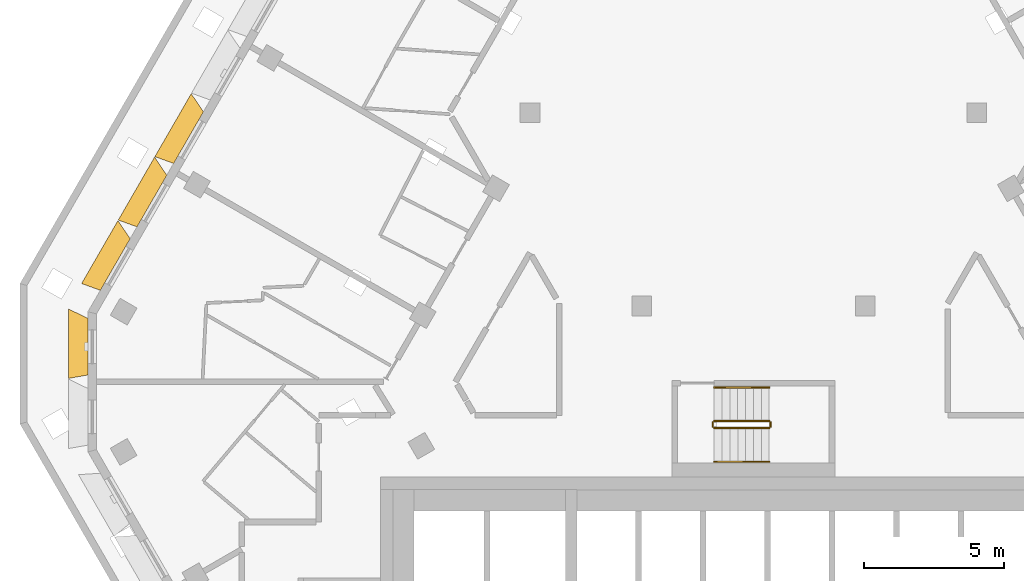
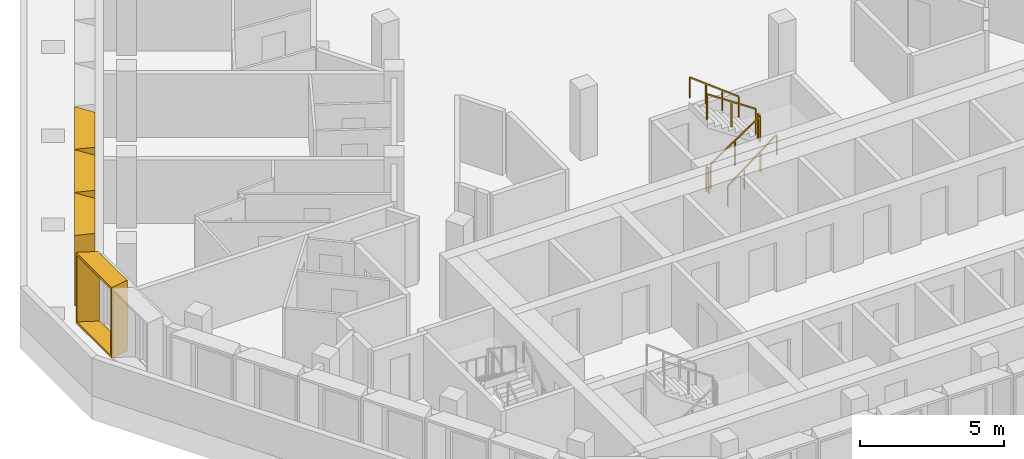
# One storey, part 13 of 15: 6 railings, 4 shading devices.
"""IFC4 building model written with IfcOpenShell, lengths in metres."""

from ifc_helpers import new_model, entity, si_unit, direction, frame, origin, origin_2d, place, context, subcontext, project, spatial, rectangle, extrude, source, transform, mapped, material, type_object, type_shapes, element, save


model = new_model("IFC4")

# Units and contexts
model_context = context("Model", 3, precision=1e-05, world=origin(), true_north=direction((0.0, 1.0)))
body_context = subcontext(model_context, "Body", "Model", "MODEL_VIEW")
ifc_project = project(units=[si_unit("LENGTHUNIT", "METRE"), si_unit("AREAUNIT", "SQUARE_METRE"), si_unit("VOLUMEUNIT", "CUBIC_METRE"), si_unit("PLANEANGLEUNIT", "RADIAN"), si_unit("MASSUNIT", "GRAM", prefix="KILO")], contexts=[model_context])

# Site, building, storey
site_placement = place(None, origin())
site = spatial("IfcSite", under=ifc_project, at=site_placement, CompositionType="ELEMENT")
building_placement = place(site_placement, origin())
building = spatial("IfcBuilding", under=site, at=building_placement, Name="Beryl Residences", CompositionType="ELEMENT")
storey_placement = place(building_placement, frame((0.0, 0.0, 202.800048828125)))
storey = spatial("IfcBuildingStorey", under=building, at=storey_placement, Name="L62", CompositionType="ELEMENT", Elevation=202.800048828125)

# Shading devices
ifc_material_1 = material(Name="Aluminium pale anodised", Category="aluminium")
shading_device_type_1 = type_object("IfcShadingDeviceType", Name="FR250-70B OUTER SKIN frame 700 mm deep, splay 26/10 deg, 2500 x 3000 mm cell", PredefinedType="USERDEFINED", material=ifc_material_1)
cartesian_point_1 = entity("IfcCartesianPoint", [-1.007568359375, 0.0])
cartesian_point_2 = entity("IfcCartesianPoint", [-0.91845703125, 0.10009765625])
cartesian_point_3 = entity("IfcCartesianPoint", [-1.348876953125, 0.0])
cartesian_point_4 = entity("IfcCartesianPoint", [-1.260009765625, 0.10009765625])
shared_shape_1 = source(origin(), body_context, "Body", "SweptSolid", [
    entity("IfcExtrudedAreaSolidTapered", entity("IfcArbitraryProfileDefWithVoids", "AREA", None, entity("IfcPolyline", [cartesian_point_1, entity("IfcCartesianPoint", [1.007568359375, 0.0]), entity("IfcCartesianPoint", [1.007568359375, 3.0]), entity("IfcCartesianPoint", [-1.007568359375, 3.0]), cartesian_point_1]), [entity("IfcPolyline", [cartesian_point_2, entity("IfcCartesianPoint", [0.92626953125, 0.10009765625]), entity("IfcCartesianPoint", [0.92626953125, 2.89990234375]), entity("IfcCartesianPoint", [-0.91845703125, 2.89990234375]), cartesian_point_2])]), entity("IfcAxis2Placement3D", entity("IfcCartesianPoint", [0.0, 0.0, 0.0]), entity("IfcDirection", [0.0, 1.0, 0.0]), entity("IfcDirection", [-1.0, 0.0, 0.0])), entity("IfcDirection", [0.0, 0.0, 1.0]), 0.699951171875, entity("IfcArbitraryProfileDefWithVoids", "AREA", None, entity("IfcPolyline", [cartesian_point_3, entity("IfcCartesianPoint", [1.130859375, 0.0]), entity("IfcCartesianPoint", [1.130859375, 3.0]), entity("IfcCartesianPoint", [-1.348876953125, 3.0]), cartesian_point_3]), [entity("IfcPolyline", [cartesian_point_4, entity("IfcCartesianPoint", [1.0498046875, 0.10009765625]), entity("IfcCartesianPoint", [1.0498046875, 2.89990234375]), entity("IfcCartesianPoint", [-1.260009765625, 2.89990234375]), cartesian_point_4])])),
])
type_shapes(shading_device_type_1, [shared_shape_1])
shading_device_placement = place(storey_placement, frame((-23.72900390625, -0.35009765625, 0.0), z_axis=(0.0, 0.0, 1.0), x_axis=(0.0, 1.0, 0.0)))
element("IfcShadingDevice", 1, at=shading_device_placement, inside=storey, type_object=shading_device_type_1, Name="FR250-70B frame L62 NW-SW 1", ObjectType="OUTER SKIN", PredefinedType="USERDEFINED", context=body_context, shape_type="MappedRepresentation", body=[
    mapped(shared_shape_1, transform((0.0, 0.0, 0.0))),
])
ifc_material_2 = material(Name="Aluminium pale anodised", Category="aluminium")
shading_device_type_2 = type_object("IfcShadingDeviceType", Name="FR261-70B OUTER SKIN frame 700 mm deep, splay 26/10 deg, 2610 x 3000 mm cell", PredefinedType="USERDEFINED", material=ifc_material_2)
cartesian_point_5 = entity("IfcCartesianPoint", [-1.0625, 0.0])
cartesian_point_6 = entity("IfcCartesianPoint", [-0.973388671875, 0.10009765625])
cartesian_point_7 = entity("IfcCartesianPoint", [-1.40380859375, 0.0])
cartesian_point_8 = entity("IfcCartesianPoint", [-1.31494140625, 0.10009765625])
shared_shape_2 = source(origin(), body_context, "Body", "SweptSolid", [
    entity("IfcExtrudedAreaSolidTapered", entity("IfcArbitraryProfileDefWithVoids", "AREA", None, entity("IfcPolyline", [cartesian_point_5, entity("IfcCartesianPoint", [1.0625, 0.0]), entity("IfcCartesianPoint", [1.0625, 3.0]), entity("IfcCartesianPoint", [-1.0625, 3.0]), cartesian_point_5]), [entity("IfcPolyline", [cartesian_point_6, entity("IfcCartesianPoint", [0.981201171875, 0.10009765625]), entity("IfcCartesianPoint", [0.981201171875, 2.89990234375]), entity("IfcCartesianPoint", [-0.973388671875, 2.89990234375]), cartesian_point_6])]), entity("IfcAxis2Placement3D", entity("IfcCartesianPoint", [0.0, 0.0, 0.0]), entity("IfcDirection", [0.0, 1.0, 0.0]), entity("IfcDirection", [-1.0, 0.0, 0.0])), entity("IfcDirection", [0.0, 0.0, 1.0]), 0.699951171875, entity("IfcArbitraryProfileDefWithVoids", "AREA", None, entity("IfcPolyline", [cartesian_point_7, entity("IfcCartesianPoint", [1.18603515625, 0.0]), entity("IfcCartesianPoint", [1.18603515625, 3.0]), entity("IfcCartesianPoint", [-1.40380859375, 3.0]), cartesian_point_7]), [entity("IfcPolyline", [cartesian_point_8, entity("IfcCartesianPoint", [1.104736328125, 0.10009765625]), entity("IfcCartesianPoint", [1.104736328125, 2.89990234375]), entity("IfcCartesianPoint", [-1.31494140625, 2.89990234375]), cartesian_point_8])])),
])
type_shapes(shading_device_type_2, [shared_shape_2])
for number, where, z_axis, x_axis, name in (
    (2, (-20.14501953125, 7.10595703125, 0.0), (0.0, 0.0, 1.0), (0.5, 0.866025403784, 0.0), "FR261-70B frame L62 NW 6"),
    (3, (-21.450927734375, 4.843994140625, 0.0), (0.0, 0.0, 1.0), (0.5, 0.866025403784, 0.0), "FR261-70B frame L62 NW 7"),
    (4, (-22.758056640625, 2.5810546875, 0.0), (0.0, 0.0, 1.0), (0.5, 0.866025403784, 0.0), "FR261-70B frame L62 NW 8"),
):
    element("IfcShadingDevice", number, at=place(storey_placement, frame(where, z_axis=z_axis, x_axis=x_axis)), inside=storey, type_object=shading_device_type_2, Name=name, ObjectType="OUTER SKIN", PredefinedType="USERDEFINED", context=body_context, shape_type="MappedRepresentation", body=[
        mapped(shared_shape_2, transform((0.0, 0.0, 0.0))),
    ])

# Railings
ifc_material_3 = material(Name="Stainless steel balustrade with glass infill", Category="steel")
railing_type_1 = type_object("IfcRailingType", Name="SG1 stair guard 1100 mm", PredefinedType="GUARDRAIL", material=ifc_material_3)
railing_1_placement = place(storey_placement, frame((-1.39990234375, -3.25, 0.1875)))
element("IfcRailing", 5, at=railing_1_placement, inside=storey, type_object=railing_type_1, Name="L62 ST-4 stair guard 1", PredefinedType="GUARDRAIL", context=body_context, shape_type="SweptSolid", body=[
    extrude(rectangle(XDim=0.048095703125, YDim=0.048095703125, at=origin_2d()), frame((0.0, 0.0, 1.076171875), z_axis=(0.830902050051, 0.0, 0.556418712142), x_axis=(0.0, 1.0, 0.0)), (0.0, 0.0, 1.0), 2.35888671875),
    extrude(rectangle(XDim=0.0419921875, YDim=0.0419921875, at=origin_2d()), origin(), (0.0, 0.0, 1.0), 1.052001953125),
    extrude(rectangle(XDim=0.0419921875, YDim=0.0419921875, at=origin_2d()), frame((0.97998046875, 0.0, 0.65625)), (0.0, 0.0, 1.0), 1.052001953125),
    extrude(rectangle(XDim=0.0419921875, YDim=0.0419921875, at=origin_2d()), frame((1.9599609375, 0.0, 1.3125)), (0.0, 0.0, 1.0), 1.052001953125),
])
railing_2_placement = place(storey_placement, frame((0.610107421875, -3.199951171875, 1.5)))
element("IfcRailing", 6, at=railing_2_placement, inside=storey, type_object=railing_type_1, Name="L62 ST-4 stair guard 2", PredefinedType="GUARDRAIL", context=body_context, shape_type="SweptSolid", body=[
    extrude(rectangle(XDim=0.048095703125, YDim=0.048095703125, at=origin_2d()), frame((0.0, 0.0, 1.076171875), z_axis=(0.0, 1.0, 0.0), x_axis=(-1.0, 0.0, 0.0)), (0.0, 0.0, 1.0), 0.14990234375),
    extrude(rectangle(XDim=0.0419921875, YDim=0.0419921875, at=origin_2d()), origin(), (0.0, 0.0, 1.0), 1.052001953125),
    extrude(rectangle(XDim=0.0419921875, YDim=0.0419921875, at=origin_2d()), frame((0.0, 0.14990234375, 0.0)), (0.0, 0.0, 1.0), 1.052001953125),
])
railing_3_placement = place(storey_placement, frame((0.56005859375, -3.0, 1.6875)))
element("IfcRailing", 7, at=railing_3_placement, inside=storey, type_object=railing_type_1, Name="L62 ST-4 stair guard 3", PredefinedType="GUARDRAIL", context=body_context, shape_type="SweptSolid", body=[
    extrude(rectangle(XDim=0.048095703125, YDim=0.048095703125, at=origin_2d()), frame((0.0, 0.0, 1.076171875), z_axis=(-0.830902050051, 0.0, 0.556418712142), x_axis=(0.0, -1.0, 0.0)), (0.0, 0.0, 1.0), 2.35888671875),
    extrude(rectangle(XDim=0.0419921875, YDim=0.0419921875, at=origin_2d()), origin(), (0.0, 0.0, 1.0), 1.052001953125),
    extrude(rectangle(XDim=0.0419921875, YDim=0.0419921875, at=origin_2d()), frame((-0.97998046875, 0.0, 0.65625)), (0.0, 0.0, 1.0), 1.052001953125),
    extrude(rectangle(XDim=0.0419921875, YDim=0.0419921875, at=origin_2d()), frame((-1.9599609375, 0.0, 1.3125)), (0.0, 0.0, 1.0), 1.052001953125),
])
railing_4_placement = place(storey_placement, frame((-1.449951171875, -3.199951171875, 0.0)))
element("IfcRailing", 8, at=railing_4_placement, inside=storey, type_object=railing_type_1, Name="L62 ST-4 stair guard 4", PredefinedType="GUARDRAIL", context=body_context, shape_type="SweptSolid", body=[
    extrude(rectangle(XDim=0.048095703125, YDim=0.048095703125, at=origin_2d()), frame((0.0, 0.0, 1.076171875), z_axis=(0.0, 1.0, 0.0), x_axis=(-1.0, 0.0, 0.0)), (0.0, 0.0, 1.0), 0.14990234375),
    extrude(rectangle(XDim=0.0419921875, YDim=0.0419921875, at=origin_2d()), origin(), (0.0, 0.0, 1.0), 1.052001953125),
    extrude(rectangle(XDim=0.0419921875, YDim=0.0419921875, at=origin_2d()), frame((0.0, 0.14990234375, 0.0)), (0.0, 0.0, 1.0), 1.052001953125),
])
ifc_material_4 = material(Name="Stainless steel handrail", Category="steel")
railing_type_2 = type_object("IfcRailingType", Name="SRL1 stair handrail 900 mm", PredefinedType="HANDRAIL", material=ifc_material_4)
railing_5_placement = place(storey_placement, frame((-1.39990234375, -4.449951171875, 0.1875)))
element("IfcRailing", 9, at=railing_5_placement, inside=storey, type_object=railing_type_2, Name="L62 ST-4 stair handrail 1", PredefinedType="HANDRAIL", context=body_context, shape_type="SweptSolid", body=[
    extrude(rectangle(XDim=0.048095703125, YDim=0.048095703125, at=origin_2d()), frame((0.0, 0.0, 0.8759765625), z_axis=(0.794121922505, 0.0, 0.607758481798), x_axis=(0.0, 1.0, 0.0)), (0.0, 0.0, 1.0), 2.468017578125),
    extrude(rectangle(XDim=0.0419921875, YDim=0.0419921875, at=origin_2d()), origin(), (0.0, 0.0, 1.0), 0.851806640625),
    extrude(rectangle(XDim=0.0419921875, YDim=0.0419921875, at=origin_2d()), frame((0.6533203125, 0.0, 0.5)), (0.0, 0.0, 1.0), 0.851806640625),
    extrude(rectangle(XDim=0.0419921875, YDim=0.0419921875, at=origin_2d()), frame((1.306640625, 0.0, 1.0)), (0.0, 0.0, 1.0), 0.851806640625),
    extrude(rectangle(XDim=0.0419921875, YDim=0.0419921875, at=origin_2d()), frame((1.9599609375, 0.0, 1.5)), (0.0, 0.0, 1.0), 0.851806640625),
])
railing_6_placement = place(storey_placement, frame((0.56005859375, -1.800048828125, 1.6875)))
element("IfcRailing", 10, at=railing_6_placement, inside=storey, type_object=railing_type_2, Name="L62 ST-4 stair handrail 2", PredefinedType="HANDRAIL", context=body_context, shape_type="SweptSolid", body=[
    extrude(rectangle(XDim=0.048095703125, YDim=0.048095703125, at=origin_2d()), frame((0.0, 0.0, 0.8759765625), z_axis=(-0.794121922505, 0.0, 0.607758481798), x_axis=(0.0, -1.0, 0.0)), (0.0, 0.0, 1.0), 2.468017578125),
    extrude(rectangle(XDim=0.0419921875, YDim=0.0419921875, at=origin_2d()), origin(), (0.0, 0.0, 1.0), 0.851806640625),
    extrude(rectangle(XDim=0.0419921875, YDim=0.0419921875, at=origin_2d()), frame((-0.6533203125, 0.0, 0.5)), (0.0, 0.0, 1.0), 0.851806640625),
    extrude(rectangle(XDim=0.0419921875, YDim=0.0419921875, at=origin_2d()), frame((-1.306640625, 0.0, 1.0)), (0.0, 0.0, 1.0), 0.851806640625),
    extrude(rectangle(XDim=0.0419921875, YDim=0.0419921875, at=origin_2d()), frame((-1.9599609375, 0.0, 1.5)), (0.0, 0.0, 1.0), 0.851806640625),
])

save(model, "model.ifc")
